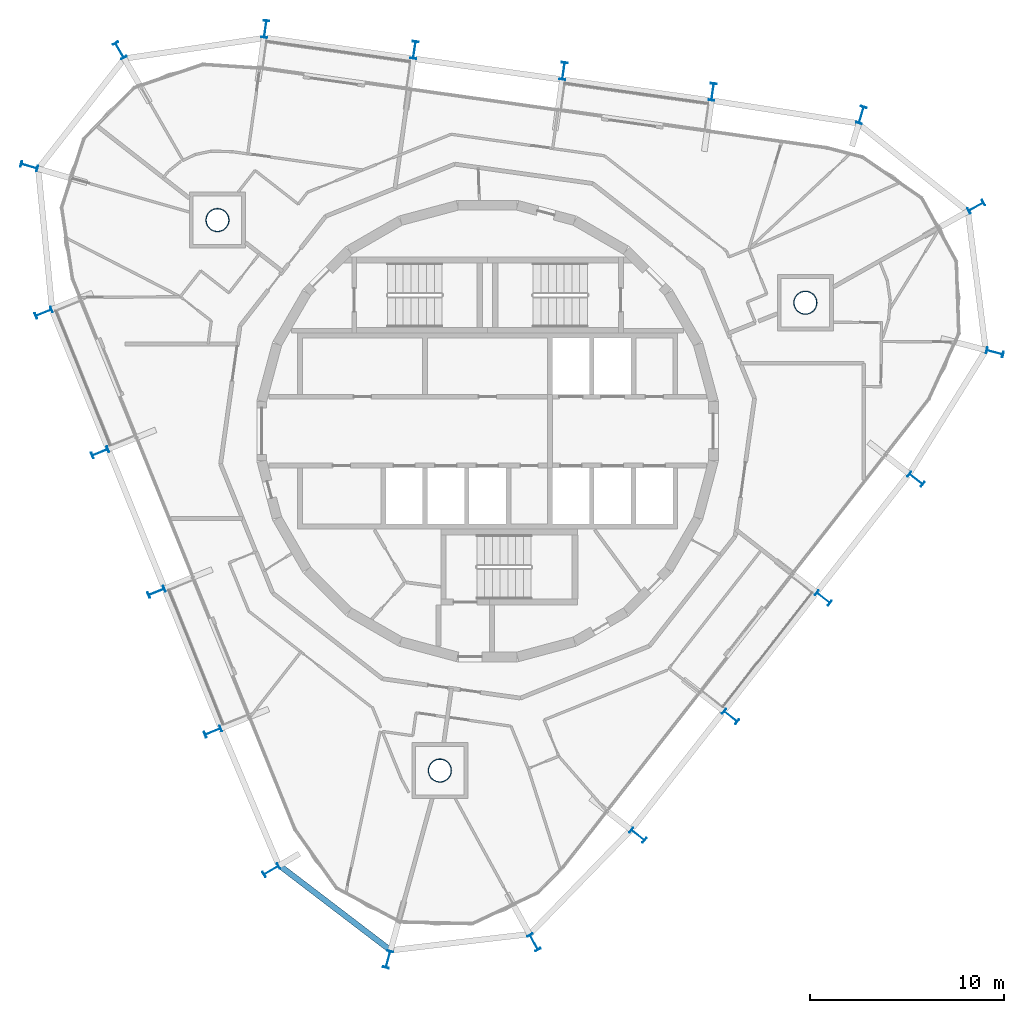
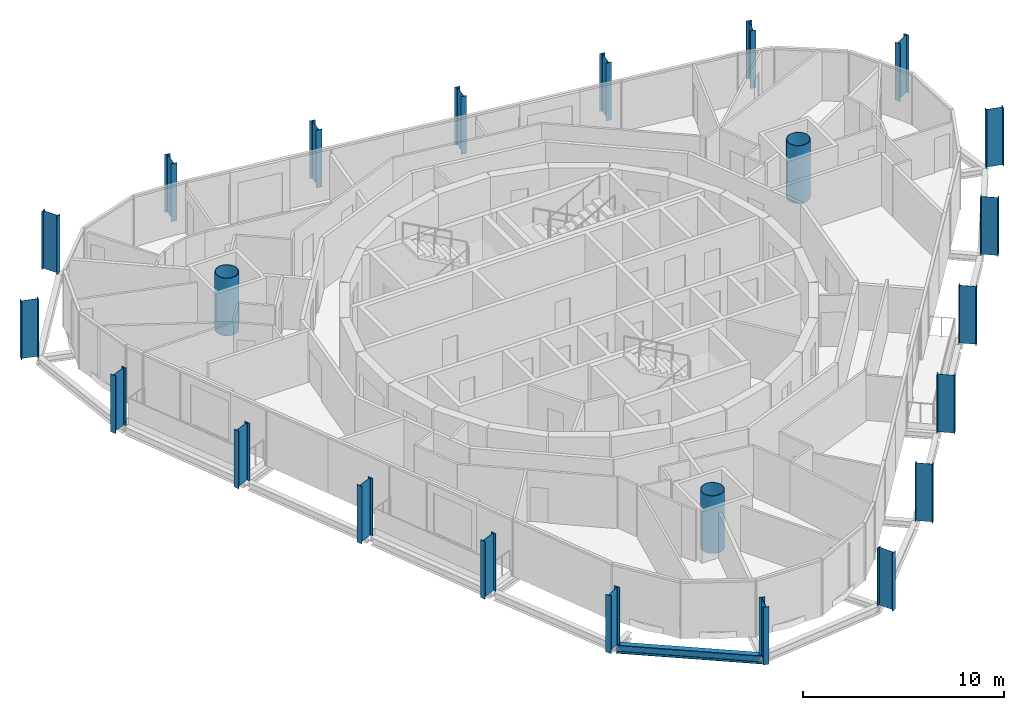
# One storey, part 1 of 15: 23 columns, 1 beam.
"""IFC4 building model written with IfcOpenShell, lengths in metres."""

from ifc_helpers import new_model, si_unit, direction, frame, origin, origin_2d, place, context, subcontext, project, spatial, hollow_circle, i_section, extrude, material, material_profile, profile_set, type_object, element, save


model = new_model("IFC4")

# Units and contexts
model_context = context("Model", 3, precision=1e-05, world=origin(), true_north=direction((0.0, 1.0)))
body_context = subcontext(model_context, "Body", "Model", "MODEL_VIEW")
ifc_project = project(units=[si_unit("LENGTHUNIT", "METRE"), si_unit("AREAUNIT", "SQUARE_METRE"), si_unit("VOLUMEUNIT", "CUBIC_METRE"), si_unit("PLANEANGLEUNIT", "RADIAN"), si_unit("MASSUNIT", "GRAM", prefix="KILO")], contexts=[model_context])

# Site, building, storey
site_placement = place(None, origin())
site = spatial("IfcSite", under=ifc_project, at=site_placement, CompositionType="ELEMENT")
building_placement = place(site_placement, origin())
building = spatial("IfcBuilding", under=site, at=building_placement, Name="Spindle Arch Residences", CompositionType="ELEMENT")
storey_placement = place(building_placement, frame((0.0, 0.0, 336.5)))
storey = spatial("IfcBuildingStorey", under=building, at=storey_placement, Name="L86", CompositionType="ELEMENT", Elevation=336.5)

# Columns
ifc_material_1 = material(Name="Steel S460ML, intumescent coating R 240", Category="steel")
ifc_material_profile_1 = material_profile(ifc_material_1, i_section(OverallWidth=0.300048828125, OverallDepth=0.89990234375, WebThickness=0.0185546875, FlangeThickness=0.034912109375, FilletRadius=0.030029296875, at=origin_2d()), Name="HEB 900")
ifc_profile_set_1 = profile_set([ifc_material_profile_1], Name="Steel S460ML, intumescent coating R 240")
column_type_1 = type_object("IfcColumnType", Name="Exoskeleton post HEB 900", PredefinedType="COLUMN", material=ifc_profile_set_1)
for number, where, z_axis, x_axis, name in (
    (1, (17.314208984375, -8.60009765625, -0.3798828125), (0.0, 0.0, 1.0), (-0.615661060634, -0.788011077599, 0.0), "Exoskeleton post 1"),
    (2, (22.09521484375, -2.480712890625, -0.3798828125), (0.0, 0.0, 1.0), (-0.615661060634, -0.788011077599, 0.0), "Exoskeleton post 2"),
    (3, (26.15869140625, 4.05712890625, -0.3798828125), (0.0, 0.0, 1.0), (-0.253940928912, -0.967219729236, 0.0), "Exoskeleton post 3"),
    (4, (25.19384765625, 11.571044921875, -0.3798828125), (0.0, 0.0, 1.0), (0.490023975195, -0.871708955865, 0.0), "Exoskeleton post 4"),
    (5, (19.27587890625, 16.30078125, -0.3798828125), (0.0, 0.0, 1.0), (0.958298489612, -0.285769146005, 0.0), "Exoskeleton post 5"),
    (6, (11.607421875, 17.4931640625, -0.3798828125), (0.0, 0.0, 1.0), (0.990268081324, -0.139173011432, 0.0), "Exoskeleton post 6"),
    (7, (3.91748046875, 18.573974609375, -0.3798828125), (0.0, 0.0, 1.0), (0.990268081324, -0.139173011432, 0.0), "Exoskeleton post 7"),
    (8, (-3.772705078125, 19.65478515625, -0.3798828125), (0.0, 0.0, 1.0), (0.990268081324, -0.139173011432, 0.0), "Exoskeleton post 8"),
    (9, (-11.462646484375, 20.735595703125, -0.3798828125), (0.0, 0.0, 1.0), (0.990268081324, -0.139173011432, 0.0), "Exoskeleton post 9"),
    (10, (-18.9755859375, 19.632080078125, -0.3798828125), (0.0, 0.0, 1.0), (0.866256848037, 0.499598912358, 0.0), "Exoskeleton post 10"),
    (11, (-23.6396484375, 13.662353515625, -0.3798828125), (0.0, 0.0, 1.0), (0.275193000466, 0.96138900165, 0.0), "Exoskeleton post 11"),
    (12, (-22.892578125, 6.105712890625, -0.3798828125), (0.0, 0.0, 1.0), (-0.374606892434, 0.927183733755, 0.0), "Exoskeleton post 12"),
    (13, (-19.983642578125, -1.094482421875, -0.3798828125), (0.0, 0.0, 1.0), (-0.374606892434, 0.927183733755, 0.0), "Exoskeleton post 13"),
    (14, (-17.07470703125, -8.29443359375, -0.3798828125), (0.0, 0.0, 1.0), (-0.374606892434, 0.927183733755, 0.0), "Exoskeleton post 14"),
    (15, (-14.16552734375, -15.49462890625, -0.3798828125), (0.0, 0.0, 1.0), (-0.374606892434, 0.927183733755, 0.0), "Exoskeleton post 15"),
    (16, (-11.1533203125, -22.64697265625, -0.3798828125), (0.0, 0.0, 1.0), (-0.509114042361, 0.86069907161, 0.0), "Exoskeleton post 16"),
    (17, (-5.13232421875, -27.244873046875, -0.3798828125), (0.0, 0.0, 1.0), (-0.964362923017, 0.264582978873, 0.0), "Exoskeleton post 17"),
    (18, (2.391845703125, -26.363037109375, -0.3798828125), (0.0, 0.0, 1.0), (-0.877055410309, -0.480389224741, 0.0), "Exoskeleton post 18"),
    (19, (7.752197265625, -20.838623046875, -0.3798828125), (0.0, 0.0, 1.0), (-0.615661060634, -0.788011077599, 0.0), "Exoskeleton post 19"),
    (20, (12.533203125, -14.71923828125, -0.3798828125), (0.0, 0.0, 1.0), (-0.615661060634, -0.788011077599, 0.0), "Exoskeleton post 20"),
):
    element("IfcColumn", number, at=place(storey_placement, frame(where, z_axis=z_axis, x_axis=x_axis)), inside=storey, type_object=column_type_1, Name=name, PredefinedType="COLUMN", context=body_context, shape_type="SweptSolid", body=[
        extrude(i_section(OverallWidth=0.300048828125, OverallDepth=0.89990234375, WebThickness=0.0185546875, FlangeThickness=0.034912109375, FilletRadius=0.030029296875, at=origin_2d()), origin(), (0.0, 0.0, 1.0), 3.5),
    ])
ifc_material_2 = material(Name="Concrete C50/60 filled steel tube S460ML, intumescent coating R 240", Category="concrete")
ifc_material_profile_2 = material_profile(ifc_material_2, hollow_circle(Radius=0.60009765625, WallThickness=0.030029296875, at=origin_2d()), Name="CFT D1200x30")
ifc_profile_set_2 = profile_set([ifc_material_profile_2], Name="Concrete C50/60 filled steel tube S460ML, intumescent coating R 240")
column_type_2 = type_object("IfcColumnType", Name="Mega-column CFT D1200x30", PredefinedType="COLUMN", material=ifc_profile_set_2)
for number, where, z_axis, x_axis, name in (
    (21, (16.3896484375, 6.621826171875, -0.3798828125), (0.0, 0.0, 1.0), (1.0, 0.0, 0.0), "Mega-column 1"),
    (22, (-13.929443359375, 10.883056640625, -0.3798828125), (0.0, 0.0, 1.0), (1.0, 0.0, 0.0), "Mega-column 2"),
    (23, (-2.460205078125, -17.5048828125, -0.3798828125), (0.0, 0.0, 1.0), (1.0, 0.0, 0.0), "Mega-column 3"),
):
    element("IfcColumn", number, at=place(storey_placement, frame(where, z_axis=z_axis, x_axis=x_axis)), inside=storey, type_object=column_type_2, Name=name, PredefinedType="COLUMN", context=body_context, shape_type="SweptSolid", body=[
        extrude(hollow_circle(Radius=0.60009765625, WallThickness=0.030029296875, at=origin_2d()), origin(), (0.0, 0.0, 1.0), 3.5),
    ])

# Beam
ifc_material_3 = material(Name="Steel S460ML, intumescent coating R 120", Category="steel")
ifc_material_profile_3 = material_profile(ifc_material_3, i_section(OverallWidth=0.300048828125, OverallDepth=0.5, WebThickness=0.014404296875, FlangeThickness=0.028076171875, FilletRadius=0.027099609375, at=origin_2d()), Name="HEB 500")
ifc_profile_set_3 = profile_set([ifc_material_profile_3], Name="Steel S460ML, intumescent coating R 120")
beam_type = type_object("IfcBeamType", Name="Exoskeleton edge beam HEB 500", PredefinedType="BEAM", material=ifc_profile_set_3)
beam_placement = place(storey_placement, frame((-10.77685546875, -22.3681640625, -0.6298828125), z_axis=(0.794751716533, -0.606934682703, 0.0), x_axis=(0.606934682703, 0.794751716533, 0.0)))
element("IfcBeam", 24, at=beam_placement, inside=storey, type_object=beam_type, Name="Exoskeleton edge beam 16", PredefinedType="BEAM", context=body_context, shape_type="SweptSolid", body=[
    extrude(i_section(OverallWidth=0.300048828125, OverallDepth=0.5, WebThickness=0.014404296875, FlangeThickness=0.028076171875, FilletRadius=0.027099609375, at=origin_2d()), origin(), (0.0, 0.0, 1.0), 7.315673828125),
])

save(model, "model.ifc")
